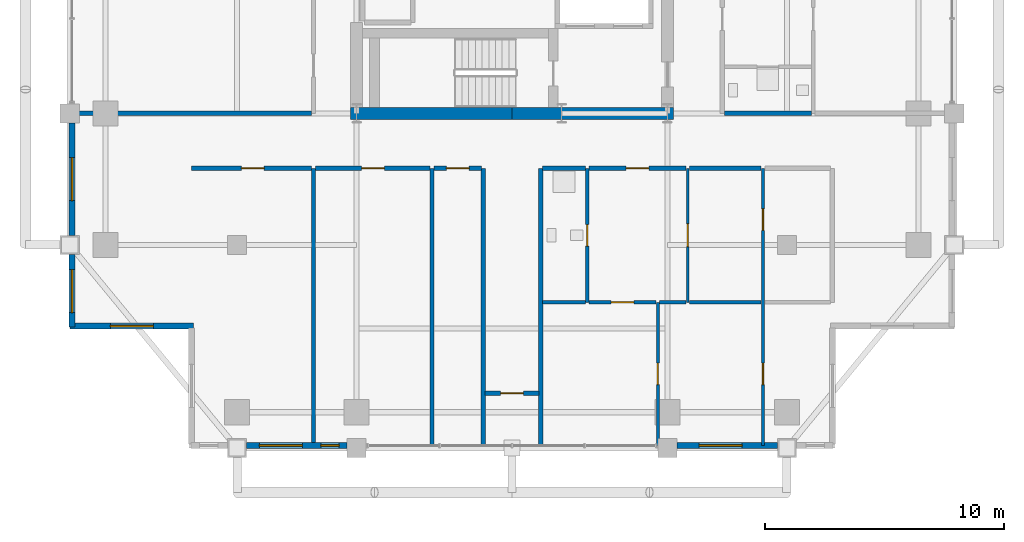
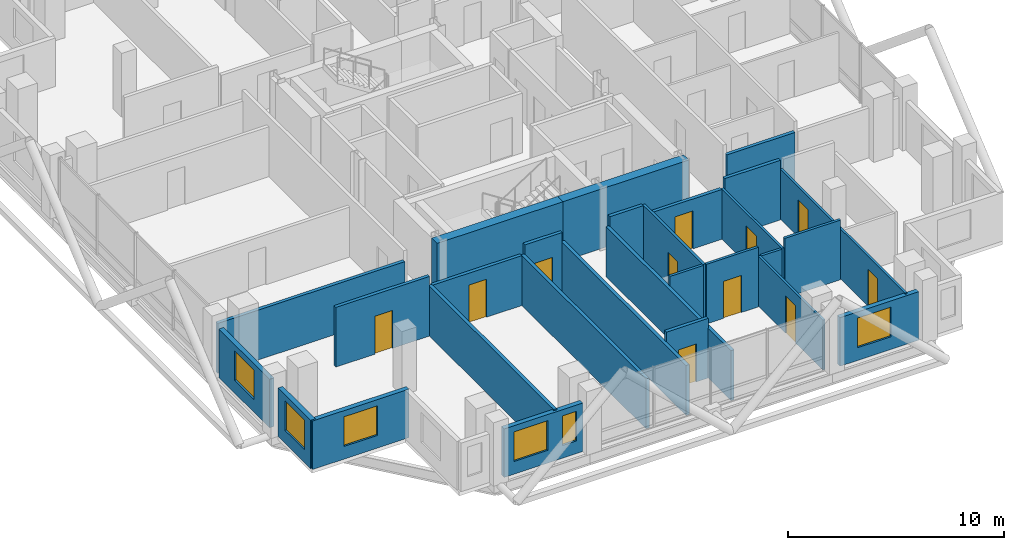
# One storey, part 20 of 26: 28 walls, 11 doors, 6 windows, 17 openings.
"""IFC4 building model written with IfcOpenShell, lengths in metres."""

from ifc_helpers import new_model, si_unit, direction, frame, frame_2d, origin, place, context, subcontext, project, spatial, rectangle, extrude, material, layer, layer_set, type_object, element, fill, save


model = new_model("IFC4")

# Units and contexts
model_context = context("Model", 3, precision=1e-05, world=origin(), true_north=direction((0.0, 1.0)))
body_context = subcontext(model_context, "Body", "Model", "MODEL_VIEW")
ifc_project = project(units=[si_unit("LENGTHUNIT", "METRE"), si_unit("AREAUNIT", "SQUARE_METRE"), si_unit("VOLUMEUNIT", "CUBIC_METRE"), si_unit("PLANEANGLEUNIT", "RADIAN"), si_unit("MASSUNIT", "GRAM", prefix="KILO")], contexts=[model_context])

# Site, building, storey
site_placement = place(None, origin())
site = spatial("IfcSite", under=ifc_project, at=site_placement, CompositionType="ELEMENT")
building_placement = place(site_placement, origin())
building = spatial("IfcBuilding", under=site, at=building_placement, Name="Barlavira Tower and Art Museum", CompositionType="ELEMENT")
storey_placement = place(building_placement, frame((0.0, 0.0, 176.39990234375)))
storey = spatial("IfcBuildingStorey", under=building, at=storey_placement, Name="L45", CompositionType="ELEMENT", Elevation=176.39990234375)

# Wall, opening, door
ifc_material_1 = material(Name="Gypsum acoustic stud partition", Category="gypsum")
ifc_layer_1 = layer(ifc_material_1, 0.1201171875, Name="Gypsum acoustic stud partition")
ifc_layer_set_1 = layer_set([ifc_layer_1], Name="Gypsum acoustic stud partition")
wall_type_1 = type_object("IfcWallType", Name="Apartment Internal Acoustic Partition 120", PredefinedType="PARTITIONING", material=ifc_layer_set_1)
wall_1_placement = place(storey_placement, frame((6.10009765625, -21.39990234375, 0.0), z_axis=(0.0, 0.0, 1.0), x_axis=(0.0, 1.0, 0.0)))
wall_1 = element("IfcWall", 1, at=wall_1_placement, inside=storey, type_object=wall_type_1, Name="L45 Partition Wall 15", PredefinedType="PARTITIONING", context=body_context, shape_type="SweptSolid", body=[
    extrude(rectangle(XDim=6.0, YDim=0.1201171875, at=frame_2d((3.0, 0.0))), origin(), (0.0, 0.0, 1.0), 2.826171875),
])
opening_1_placement = place(wall_1_placement, frame((2.550048828125, 0.0, 0.0)))
opening_1 = element("IfcOpeningElement", 2, at=opening_1_placement, cuts=wall_1, Name="Opening D-01", PredefinedType="OPENING", context=body_context, shape_type="SweptSolid", body=[
    extrude(rectangle(XDim=0.89990234375, YDim=2.10009765625, at=frame_2d((0.449951171875, 1.050048828125))), frame((0.0, 0.070068359375, 0.0), z_axis=(0.0, -1.0, 0.0), x_axis=(1.0, 0.0, 0.0)), (0.0, 0.0, 1.0), 0.14013671875),
])
ifc_material_2 = material(Name="Engineered coastal hardwood", Category="wood")
door_type_1 = type_object("IfcDoorType", Name="Internal Bedroom Timber Flush Door 900x2100", OperationType="NOTDEFINED", PredefinedType="DOOR", material=ifc_material_2)
door_1_placement = place(opening_1_placement, origin())
door_1 = element("IfcDoor", 3, at=door_1_placement, inside=storey, type_object=door_type_1, Name="Apartment SE1 Bedroom 1 Door", OperationType="SINGLE_SWING_LEFT", OverallHeight=2.10009765625, OverallWidth=0.89990234375, PredefinedType="DOOR", context=body_context, shape_type="SweptSolid", body=[
    extrude(rectangle(XDim=0.89990234375, YDim=2.10009765625, at=frame_2d((0.449951171875, 1.050048828125))), frame((0.0, 0.02490234375, 0.0), z_axis=(0.0, -1.0, 0.0), x_axis=(1.0, 0.0, 0.0)), (0.0, 0.0, 1.0), 0.050048828125),
])
fill(opening_1, door_1)

wall_2_placement = place(storey_placement, frame((7.35009765625, -15.39990234375, 0.0), z_axis=(0.0, 0.0, 1.0), x_axis=(0.0, 1.0, 0.0)))
wall_2 = element("IfcWall", 4, at=wall_2_placement, inside=storey, type_object=wall_type_1, Name="L45 Partition Wall 17", PredefinedType="PARTITIONING", context=body_context, shape_type="SweptSolid", body=[
    extrude(rectangle(XDim=5.599853515625, YDim=0.1201171875, at=frame_2d((2.7998046875, 0.0))), origin(), (0.0, 0.0, 1.0), 2.826171875),
])
opening_2_placement = place(wall_2_placement, frame((2.324951171875, 0.0, 0.0)))
opening_2 = element("IfcOpeningElement", 5, at=opening_2_placement, cuts=wall_2, Name="Opening D-02", PredefinedType="OPENING", context=body_context, shape_type="SweptSolid", body=[
    extrude(rectangle(XDim=0.949951171875, YDim=2.10009765625, at=frame_2d((0.47509765625, 1.050048828125))), frame((0.0, 0.070068359375, 0.0), z_axis=(0.0, -1.0, 0.0), x_axis=(1.0, 0.0, 0.0)), (0.0, 0.0, 1.0), 0.14013671875),
])
door_type_2 = type_object("IfcDoorType", Name="Living and Salon Glazed-Leaf Door 950x2100", OperationType="NOTDEFINED", PredefinedType="DOOR", material=ifc_material_2)
door_2_placement = place(opening_2_placement, origin())
door_2 = element("IfcDoor", 6, at=door_2_placement, inside=storey, type_object=door_type_2, Name="Apartment SE1 Kitchen Door", OperationType="SINGLE_SWING_RIGHT", OverallHeight=2.10009765625, OverallWidth=0.949951171875, PredefinedType="DOOR", context=body_context, shape_type="SweptSolid", body=[
    extrude(rectangle(XDim=0.949951171875, YDim=2.10009765625, at=frame_2d((0.47509765625, 1.050048828125))), frame((0.0, 0.02490234375, 0.0), z_axis=(0.0, -1.0, 0.0), x_axis=(1.0, 0.0, 0.0)), (0.0, 0.0, 1.0), 0.050048828125),
])
fill(opening_2, door_2)

# Wall, openings, doors
wall_3_placement = place(storey_placement, frame((10.5, -21.39990234375, 0.0), z_axis=(0.0, 0.0, 1.0), x_axis=(0.0, 1.0, 0.0)))
wall_3 = element("IfcWall", 7, at=wall_3_placement, inside=storey, type_object=wall_type_1, Name="L45 Partition Wall 20", PredefinedType="PARTITIONING", context=body_context, shape_type="SweptSolid", body=[
    extrude(rectangle(XDim=11.599853515625, YDim=0.1201171875, at=frame_2d((5.7998046875, 0.0))), origin(), (0.0, 0.0, 1.0), 2.826171875),
])
opening_3_placement = place(wall_3_placement, frame((9.005859375, 0.0, 0.0)))
opening_3 = element("IfcOpeningElement", 8, at=opening_3_placement, cuts=wall_3, Name="Opening D-01", PredefinedType="OPENING", context=body_context, shape_type="SweptSolid", body=[
    extrude(rectangle(XDim=0.89990234375, YDim=2.10009765625, at=frame_2d((0.449951171875, 1.050048828125))), frame((0.0, 0.070068359375, 0.0), z_axis=(0.0, -1.0, 0.0), x_axis=(1.0, 0.0, 0.0)), (0.0, 0.0, 1.0), 0.14013671875),
])
opening_4_placement = place(wall_3_placement, frame((2.550048828125, 0.0, 0.0)))
opening_4 = element("IfcOpeningElement", 9, at=opening_4_placement, cuts=wall_3, Name="Opening D-01", PredefinedType="OPENING", context=body_context, shape_type="SweptSolid", body=[
    extrude(rectangle(XDim=0.89990234375, YDim=2.10009765625, at=frame_2d((0.449951171875, 1.050048828125))), frame((0.0, 0.070068359375, 0.0), z_axis=(0.0, -1.0, 0.0), x_axis=(1.0, 0.0, 0.0)), (0.0, 0.0, 1.0), 0.14013671875),
])
door_3_placement = place(opening_3_placement, origin())
door_3 = element("IfcDoor", 10, at=door_3_placement, inside=storey, type_object=door_type_1, Name="Apartment SE1 Walk-In Dressing Room Door", OperationType="SINGLE_SWING_LEFT", OverallHeight=2.10009765625, OverallWidth=0.89990234375, PredefinedType="DOOR", context=body_context, shape_type="SweptSolid", body=[
    extrude(rectangle(XDim=0.89990234375, YDim=2.10009765625, at=frame_2d((0.449951171875, 1.050048828125))), frame((0.0, 0.02490234375, 0.0), z_axis=(0.0, -1.0, 0.0), x_axis=(1.0, 0.0, 0.0)), (0.0, 0.0, 1.0), 0.050048828125),
])
fill(opening_3, door_3)
door_4_placement = place(opening_4_placement, origin())
door_4 = element("IfcDoor", 11, at=door_4_placement, inside=storey, type_object=door_type_1, Name="Apartment SE1 Bedroom 2 Door", OperationType="SINGLE_SWING_RIGHT", OverallHeight=2.10009765625, OverallWidth=0.89990234375, PredefinedType="DOOR", context=body_context, shape_type="SweptSolid", body=[
    extrude(rectangle(XDim=0.89990234375, YDim=2.10009765625, at=frame_2d((0.449951171875, 1.050048828125))), frame((0.0, 0.02490234375, 0.0), z_axis=(0.0, -1.0, 0.0), x_axis=(1.0, 0.0, 0.0)), (0.0, 0.0, 1.0), 0.050048828125),
])
fill(opening_4, door_4)

# Walls
ifc_material_3 = material(Name="Concrete C60", Category="concrete")
ifc_layer_2 = layer(ifc_material_3, 0.5, Name="Concrete C60")
ifc_layer_set_2 = layer_set([ifc_layer_2], Name="Concrete C60")
wall_type_2 = type_object("IfcWallType", Name="Core Structural Shear Wall 500 Concrete C60", PredefinedType="SHEAR", material=ifc_layer_set_2)
for number, where, z_axis, x_axis, name in (
    (12, (-6.75, -7.5, 0.0), (0.0, 0.0, 1.0), (1.0, 0.0, 0.0), "L45 Core Shear Wall CS-SW"),
    (13, (0.0, -7.5, 0.0), (0.0, 0.0, 1.0), (1.0, 0.0, 0.0), "L45 Core Shear Wall CS-SE"),
):
    element("IfcWall", number, at=place(storey_placement, frame(where, z_axis=z_axis, x_axis=x_axis)), inside=storey, type_object=wall_type_2, Name=name, PredefinedType="SHEAR", context=body_context, shape_type="SweptSolid", body=[
        extrude(rectangle(XDim=6.75, YDim=0.5, at=frame_2d((3.375, 0.0))), origin(), (0.0, 0.0, 1.0), 3.380126953125),
    ])
ifc_layer_3 = layer(ifc_material_1, 0.179931640625, Name="Gypsum acoustic stud partition")
ifc_layer_set_3 = layer_set([ifc_layer_3], Name="Gypsum acoustic stud partition")
wall_type_3 = type_object("IfcWallType", Name="Inter-Tenancy Party Partition Wall 180", PredefinedType="PARTITIONING", material=ifc_layer_set_3)
for number, where, z_axis, x_axis, name in (
    (14, (-8.300048828125, -21.39990234375, 0.0), (0.0, 0.0, 1.0), (0.0, 1.0, 0.0), "L45 Partition Wall 1"),
    (15, (-3.35009765625, -21.39990234375, 0.0), (0.0, 0.0, 1.0), (0.0, 1.0, 0.0), "L45 Partition Wall 6"),
    (16, (-1.199951171875, -21.39990234375, 0.0), (0.0, 0.0, 1.0), (0.0, 1.0, 0.0), "L45 Partition Wall 8"),
    (17, (1.199951171875, -21.39990234375, 0.0), (0.0, 0.0, 1.0), (0.0, 1.0, 0.0), "L45 Partition Wall 10"),
):
    element("IfcWall", number, at=place(storey_placement, frame(where, z_axis=z_axis, x_axis=x_axis)), inside=storey, type_object=wall_type_3, Name=name, PredefinedType="PARTITIONING", context=body_context, shape_type="SweptSolid", body=[
        extrude(rectangle(XDim=11.599853515625, YDim=0.179931640625, at=frame_2d((5.7998046875, 0.0))), origin(), (0.0, 0.0, 1.0), 2.826171875),
    ])

# Wall, opening, door
wall_4_placement = place(storey_placement, frame((-1.1201171875, -19.199951171875, 0.0), z_axis=(0.0, 0.0, 1.0), x_axis=(1.0, 0.0, 0.0)))
wall_4 = element("IfcWall", 18, at=wall_4_placement, inside=storey, type_object=wall_type_3, Name="L45 Partition Wall 25", PredefinedType="PARTITIONING", context=body_context, shape_type="SweptSolid", body=[
    extrude(rectangle(XDim=2.240234375, YDim=0.179931640625, at=frame_2d((1.1201171875, 0.0))), origin(), (0.0, 0.0, 1.0), 3.380126953125),
])
opening_5_placement = place(wall_4_placement, frame((0.64501953125, 0.0, 0.0)))
opening_5 = element("IfcOpeningElement", 19, at=opening_5_placement, cuts=wall_4, Name="Opening FD-60", PredefinedType="OPENING", context=body_context, shape_type="SweptSolid", body=[
    extrude(rectangle(XDim=0.949951171875, YDim=2.14990234375, at=frame_2d((0.47509765625, 1.074951171875))), frame((0.0, 0.10009765625, 0.0), z_axis=(0.0, -1.0, 0.0), x_axis=(1.0, 0.0, 0.0)), (0.0, 0.0, 1.0), 0.199951171875),
])
ifc_material_4 = material(Name="Brushed stainless steel", Category="steel")
door_type_3 = type_object("IfcDoorType", Name="Apartment Entrance and Riser Fire Door 950x2150 FD60S", OperationType="NOTDEFINED", PredefinedType="DOOR", material=ifc_material_4)
door_5_placement = place(opening_5_placement, origin())
door_5 = element("IfcDoor", 20, at=door_5_placement, inside=storey, type_object=door_type_3, Name="L45 South Horizon Reading Alcove Door", OperationType="SINGLE_SWING_RIGHT", OverallHeight=2.14990234375, OverallWidth=0.949951171875, PredefinedType="DOOR", context=body_context, shape_type="SweptSolid", body=[
    extrude(rectangle(XDim=0.949951171875, YDim=2.14990234375, at=frame_2d((0.47509765625, 1.074951171875))), frame((0.0, 0.02490234375, 0.0), z_axis=(0.0, -1.0, 0.0), x_axis=(1.0, 0.0, 0.0)), (0.0, 0.0, 1.0), 0.050048828125),
])
fill(opening_5, door_5)

wall_5_placement = place(storey_placement, frame((-13.39990234375, -9.800048828125, 0.0), z_axis=(0.0, 0.0, 1.0), x_axis=(1.0, 0.0, 0.0)))
wall_5 = element("IfcWall", 21, at=wall_5_placement, inside=storey, type_object=wall_type_3, Name="L45 Partition Wall 31", PredefinedType="PARTITIONING", context=body_context, shape_type="SweptSolid", body=[
    extrude(rectangle(XDim=5.02001953125, YDim=0.179931640625, at=frame_2d((2.510009765625, 0.0))), origin(), (0.0, 0.0, 1.0), 3.380126953125),
])
opening_6_placement = place(wall_5_placement, frame((2.0849609375, 0.0, 0.0)))
opening_6 = element("IfcOpeningElement", 22, at=opening_6_placement, cuts=wall_5, Name="Opening FD-60", PredefinedType="OPENING", context=body_context, shape_type="SweptSolid", body=[
    extrude(rectangle(XDim=0.949951171875, YDim=2.14990234375, at=frame_2d((0.47509765625, 1.074951171875))), frame((0.0, 0.10009765625, 0.0), z_axis=(0.0, -1.0, 0.0), x_axis=(1.0, 0.0, 0.0)), (0.0, 0.0, 1.0), 0.199951171875),
])
door_6_placement = place(opening_6_placement, origin())
door_6 = element("IfcDoor", 23, at=door_6_placement, inside=storey, type_object=door_type_3, Name="Resident Sky Coworking Studio Door", OperationType="SINGLE_SWING_LEFT", OverallHeight=2.14990234375, OverallWidth=0.949951171875, PredefinedType="DOOR", context=body_context, shape_type="SweptSolid", body=[
    extrude(rectangle(XDim=0.949951171875, YDim=2.14990234375, at=frame_2d((0.47509765625, 1.074951171875))), frame((0.0, 0.02490234375, 0.0), z_axis=(0.0, -1.0, 0.0), x_axis=(1.0, 0.0, 0.0)), (0.0, 0.0, 1.0), 0.050048828125),
])
fill(opening_6, door_6)

wall_6_placement = place(storey_placement, frame((-8.219970703125, -9.800048828125, 0.0), z_axis=(0.0, 0.0, 1.0), x_axis=(1.0, 0.0, 0.0)))
wall_6 = element("IfcWall", 24, at=wall_6_placement, inside=storey, type_object=wall_type_3, Name="L45 Partition Wall 32", PredefinedType="PARTITIONING", context=body_context, shape_type="SweptSolid", body=[
    extrude(rectangle(XDim=4.7900390625, YDim=0.179931640625, at=frame_2d((2.39501953125, 0.0))), origin(), (0.0, 0.0, 1.0), 2.826171875),
])
opening_7_placement = place(wall_6_placement, frame((1.93505859375, 0.0, 0.0)))
opening_7 = element("IfcOpeningElement", 25, at=opening_7_placement, cuts=wall_6, Name="Opening FD-60", PredefinedType="OPENING", context=body_context, shape_type="SweptSolid", body=[
    extrude(rectangle(XDim=0.949951171875, YDim=2.14990234375, at=frame_2d((0.47509765625, 1.074951171875))), frame((0.0, 0.10009765625, 0.0), z_axis=(0.0, -1.0, 0.0), x_axis=(1.0, 0.0, 0.0)), (0.0, 0.0, 1.0), 0.199951171875),
])
door_7_placement = place(opening_7_placement, origin())
door_7 = element("IfcDoor", 26, at=door_7_placement, inside=storey, type_object=door_type_3, Name="Atlantic Horizon Boardroom Door", OperationType="SINGLE_SWING_RIGHT", OverallHeight=2.14990234375, OverallWidth=0.949951171875, PredefinedType="DOOR", context=body_context, shape_type="SweptSolid", body=[
    extrude(rectangle(XDim=0.949951171875, YDim=2.14990234375, at=frame_2d((0.47509765625, 1.074951171875))), frame((0.0, 0.02490234375, 0.0), z_axis=(0.0, -1.0, 0.0), x_axis=(1.0, 0.0, 0.0)), (0.0, 0.0, 1.0), 0.050048828125),
])
fill(opening_7, door_7)

wall_7_placement = place(storey_placement, frame((-3.27001953125, -9.800048828125, 0.0), z_axis=(0.0, 0.0, 1.0), x_axis=(1.0, 0.0, 0.0)))
wall_7 = element("IfcWall", 27, at=wall_7_placement, inside=storey, type_object=wall_type_3, Name="L45 Partition Wall 33", PredefinedType="PARTITIONING", context=body_context, shape_type="SweptSolid", body=[
    extrude(rectangle(XDim=1.989990234375, YDim=0.179931640625, at=frame_2d((0.9951171875, 0.0))), origin(), (0.0, 0.0, 1.0), 3.380126953125),
])
opening_8_placement = place(wall_7_placement, frame((0.52490234375, 0.0, 0.0)))
opening_8 = element("IfcOpeningElement", 28, at=opening_8_placement, cuts=wall_7, Name="Opening FD-60", PredefinedType="OPENING", context=body_context, shape_type="SweptSolid", body=[
    extrude(rectangle(XDim=0.949951171875, YDim=2.14990234375, at=frame_2d((0.47509765625, 1.074951171875))), frame((0.0, 0.10009765625, 0.0), z_axis=(0.0, -1.0, 0.0), x_axis=(1.0, 0.0, 0.0)), (0.0, 0.0, 1.0), 0.199951171875),
])
door_8_placement = place(opening_8_placement, origin())
door_8 = element("IfcDoor", 29, at=door_8_placement, inside=storey, type_object=door_type_3, Name="Shared Coworking Espresso Pantry Door", OperationType="SINGLE_SWING_LEFT", OverallHeight=2.14990234375, OverallWidth=0.949951171875, PredefinedType="DOOR", context=body_context, shape_type="SweptSolid", body=[
    extrude(rectangle(XDim=0.949951171875, YDim=2.14990234375, at=frame_2d((0.47509765625, 1.074951171875))), frame((0.0, 0.02490234375, 0.0), z_axis=(0.0, -1.0, 0.0), x_axis=(1.0, 0.0, 0.0)), (0.0, 0.0, 1.0), 0.050048828125),
])
fill(opening_8, door_8)

# Wall
wall_8_placement = place(storey_placement, frame((1.280029296875, -9.800048828125, 0.0), z_axis=(0.0, 0.0, 1.0), x_axis=(1.0, 0.0, 0.0)))
element("IfcWall", 30, at=wall_8_placement, inside=storey, type_object=wall_type_3, Name="L45 Partition Wall 34", PredefinedType="PARTITIONING", context=body_context, shape_type="SweptSolid", body=[
    extrude(rectangle(XDim=1.7900390625, YDim=0.179931640625, at=frame_2d((0.89501953125, 0.0))), origin(), (0.0, 0.0, 1.0), 3.380126953125),
])

# Wall, opening, door
wall_9_placement = place(storey_placement, frame((3.22998046875, -9.800048828125, 0.0), z_axis=(0.0, 0.0, 1.0), x_axis=(1.0, 0.0, 0.0)))
wall_9 = element("IfcWall", 31, at=wall_9_placement, inside=storey, type_object=wall_type_3, Name="L45 Partition Wall 35", PredefinedType="PARTITIONING", context=body_context, shape_type="SweptSolid", body=[
    extrude(rectangle(XDim=4.0400390625, YDim=0.179931640625, at=frame_2d((2.02001953125, 0.0))), origin(), (0.0, 0.0, 1.0), 2.826171875),
])
opening_9_placement = place(wall_9_placement, frame((1.544921875, 0.0, 0.0)))
opening_9 = element("IfcOpeningElement", 32, at=opening_9_placement, cuts=wall_9, Name="Opening FD-60", PredefinedType="OPENING", context=body_context, shape_type="SweptSolid", body=[
    extrude(rectangle(XDim=0.949951171875, YDim=2.14990234375, at=frame_2d((0.47509765625, 1.074951171875))), frame((0.0, 0.10009765625, 0.0), z_axis=(0.0, -1.0, 0.0), x_axis=(1.0, 0.0, 0.0)), (0.0, 0.0, 1.0), 0.199951171875),
])
door_9_placement = place(opening_9_placement, origin())
door_9 = element("IfcDoor", 33, at=door_9_placement, inside=storey, type_object=door_type_3, Name="Apartment Entrance Hall SE1 Door", OperationType="SINGLE_SWING_LEFT", OverallHeight=2.14990234375, OverallWidth=0.949951171875, PredefinedType="DOOR", context=body_context, shape_type="SweptSolid", body=[
    extrude(rectangle(XDim=0.949951171875, YDim=2.14990234375, at=frame_2d((0.47509765625, 1.074951171875))), frame((0.0, 0.02490234375, 0.0), z_axis=(0.0, -1.0, 0.0), x_axis=(1.0, 0.0, 0.0)), (0.0, 0.0, 1.0), 0.050048828125),
])
fill(opening_9, door_9)

# Walls
wall_10_placement = place(storey_placement, frame((7.429931640625, -9.800048828125, 0.0), z_axis=(0.0, 0.0, 1.0), x_axis=(1.0, 0.0, 0.0)))
element("IfcWall", 34, at=wall_10_placement, inside=storey, type_object=wall_type_3, Name="L45 Partition Wall 36", PredefinedType="PARTITIONING", context=body_context, shape_type="SweptSolid", body=[
    extrude(rectangle(XDim=2.989990234375, YDim=0.179931640625, at=frame_2d((1.4951171875, 0.0))), origin(), (0.0, 0.0, 1.0), 3.380126953125),
])
wall_11_placement = place(storey_placement, frame((-18.39990234375, -7.5, 0.0), z_axis=(0.0, 0.0, 1.0), x_axis=(1.0, 0.0, 0.0)))
element("IfcWall", 35, at=wall_11_placement, inside=storey, type_object=wall_type_3, Name="L45 Partition Wall 38", PredefinedType="PARTITIONING", context=body_context, shape_type="SweptSolid", body=[
    extrude(rectangle(XDim=10.02001953125, YDim=0.179931640625, at=frame_2d((5.010009765625, 0.0))), origin(), (0.0, 0.0, 1.0), 2.826171875),
])
wall_12_placement = place(storey_placement, frame((8.8798828125, -7.5, 0.0), z_axis=(0.0, 0.0, 1.0), x_axis=(1.0, 0.0, 0.0)))
element("IfcWall", 36, at=wall_12_placement, inside=storey, type_object=wall_type_3, Name="L45 Partition Wall 39", PredefinedType="PARTITIONING", context=body_context, shape_type="SweptSolid", body=[
    extrude(rectangle(XDim=3.64013671875, YDim=0.179931640625, at=frame_2d((1.820068359375, 0.0))), origin(), (0.0, 0.0, 1.0), 2.826171875),
])

# Wall, opening, door
ifc_layer_4 = layer(ifc_material_1, 0.139892578125, Name="Gypsum acoustic stud partition")
ifc_layer_set_4 = layer_set([ifc_layer_4], Name="Gypsum acoustic stud partition")
wall_type_4 = type_object("IfcWallType", Name="Moisture-Resistant Bathroom Partition 140", PredefinedType="PARTITIONING", material=ifc_layer_set_4)
wall_13_placement = place(storey_placement, frame((3.14990234375, -15.39990234375, 0.0), z_axis=(0.0, 0.0, 1.0), x_axis=(0.0, 1.0, 0.0)))
wall_13 = element("IfcWall", 37, at=wall_13_placement, inside=storey, type_object=wall_type_4, Name="L45 Partition Wall 12", PredefinedType="PARTITIONING", context=body_context, shape_type="SweptSolid", body=[
    extrude(rectangle(XDim=5.599853515625, YDim=0.139892578125, at=frame_2d((2.7998046875, 0.0))), origin(), (0.0, 0.0, 1.0), 3.380126953125),
])
opening_10_placement = place(wall_13_placement, frame((2.35009765625, 0.0, 0.0)))
opening_10 = element("IfcOpeningElement", 38, at=opening_10_placement, cuts=wall_13, Name="Opening D-WC", PredefinedType="OPENING", context=body_context, shape_type="SweptSolid", body=[
    extrude(rectangle(XDim=0.89990234375, YDim=2.10009765625, at=frame_2d((0.449951171875, 1.050048828125))), frame((0.0, 0.080078125, 0.0), z_axis=(0.0, -1.0, 0.0), x_axis=(1.0, 0.0, 0.0)), (0.0, 0.0, 1.0), 0.159912109375),
])
door_type_4 = type_object("IfcDoorType", Name="Accessible Bathroom Flush Door 900x2100", OperationType="NOTDEFINED", PredefinedType="DOOR", material=ifc_material_2)
door_10_placement = place(opening_10_placement, origin())
door_10 = element("IfcDoor", 39, at=door_10_placement, inside=storey, type_object=door_type_4, Name="Apartment SE1 Hall Bathroom Door", OperationType="SINGLE_SWING_RIGHT", OverallHeight=2.10009765625, OverallWidth=0.89990234375, PredefinedType="DOOR", context=body_context, shape_type="SweptSolid", body=[
    extrude(rectangle(XDim=0.89990234375, YDim=2.10009765625, at=frame_2d((0.449951171875, 1.050048828125))), frame((0.0, 0.02490234375, 0.0), z_axis=(0.0, -1.0, 0.0), x_axis=(1.0, 0.0, 0.0)), (0.0, 0.0, 1.0), 0.050048828125),
])
fill(opening_10, door_10)

# Wall
wall_14_placement = place(storey_placement, frame((1.280029296875, -15.39990234375, 0.0), z_axis=(0.0, 0.0, 1.0), x_axis=(1.0, 0.0, 0.0)))
element("IfcWall", 40, at=wall_14_placement, inside=storey, type_object=wall_type_4, Name="L45 Partition Wall 26", PredefinedType="PARTITIONING", context=body_context, shape_type="SweptSolid", body=[
    extrude(rectangle(XDim=1.7900390625, YDim=0.139892578125, at=frame_2d((0.89501953125, 0.0))), origin(), (0.0, 0.0, 1.0), 3.380126953125),
])

# Wall, opening, door
wall_15_placement = place(storey_placement, frame((3.22998046875, -15.39990234375, 0.0), z_axis=(0.0, 0.0, 1.0), x_axis=(1.0, 0.0, 0.0)))
wall_15 = element("IfcWall", 41, at=wall_15_placement, inside=storey, type_object=wall_type_4, Name="L45 Partition Wall 27", PredefinedType="PARTITIONING", context=body_context, shape_type="SweptSolid", body=[
    extrude(rectangle(XDim=2.7900390625, YDim=0.139892578125, at=frame_2d((1.39501953125, 0.0))), origin(), (0.0, 0.0, 1.0), 3.380126953125),
])
opening_11_placement = place(wall_15_placement, frame((0.9150390625, 0.0, 0.0)))
opening_11 = element("IfcOpeningElement", 42, at=opening_11_placement, cuts=wall_15, Name="Opening D-02", PredefinedType="OPENING", context=body_context, shape_type="SweptSolid", body=[
    extrude(rectangle(XDim=0.949951171875, YDim=2.10009765625, at=frame_2d((0.47509765625, 1.050048828125))), frame((0.0, 0.080078125, 0.0), z_axis=(0.0, -1.0, 0.0), x_axis=(1.0, 0.0, 0.0)), (0.0, 0.0, 1.0), 0.159912109375),
])
door_11_placement = place(opening_11_placement, origin())
door_11 = element("IfcDoor", 43, at=door_11_placement, inside=storey, type_object=door_type_2, Name="Apartment SE1 Living Lounge Door", OperationType="SINGLE_SWING_RIGHT", OverallHeight=2.10009765625, OverallWidth=0.949951171875, PredefinedType="DOOR", context=body_context, shape_type="SweptSolid", body=[
    extrude(rectangle(XDim=0.949951171875, YDim=2.10009765625, at=frame_2d((0.47509765625, 1.050048828125))), frame((0.0, 0.02490234375, 0.0), z_axis=(0.0, -1.0, 0.0), x_axis=(1.0, 0.0, 0.0)), (0.0, 0.0, 1.0), 0.050048828125),
])
fill(opening_11, door_11)

# Walls
wall_16_placement = place(storey_placement, frame((6.179931640625, -15.39990234375, 0.0), z_axis=(0.0, 0.0, 1.0), x_axis=(1.0, 0.0, 0.0)))
element("IfcWall", 44, at=wall_16_placement, inside=storey, type_object=wall_type_4, Name="L45 Partition Wall 28", PredefinedType="PARTITIONING", context=body_context, shape_type="SweptSolid", body=[
    extrude(rectangle(XDim=1.090087890625, YDim=0.139892578125, at=frame_2d((0.544921875, 0.0))), origin(), (0.0, 0.0, 1.0), 2.826171875),
])
wall_17_placement = place(storey_placement, frame((7.429931640625, -15.39990234375, 0.0), z_axis=(0.0, 0.0, 1.0), x_axis=(1.0, 0.0, 0.0)))
element("IfcWall", 45, at=wall_17_placement, inside=storey, type_object=wall_type_4, Name="L45 Partition Wall 29", PredefinedType="PARTITIONING", context=body_context, shape_type="SweptSolid", body=[
    extrude(rectangle(XDim=2.989990234375, YDim=0.139892578125, at=frame_2d((1.4951171875, 0.0))), origin(), (0.0, 0.0, 1.0), 3.380126953125),
])

# Wall, openings, windows
ifc_material_5 = material(Name="Precast concrete C40", Category="concrete")
ifc_layer_5 = layer(ifc_material_5, 0.25, Name="Precast concrete C40")
ifc_layer_set_5 = layer_set([ifc_layer_5], Name="Precast concrete C40")
wall_type_5 = type_object("IfcWallType", Name="Notched Corner Spandrel Wall 250 Precast Concrete C40", PredefinedType="SOLIDWALL", material=ifc_layer_set_5)
wall_18_placement = place(storey_placement, frame((-11.10498046875, -21.39990234375, 0.0), z_axis=(0.0, 0.0, 1.0), x_axis=(1.0, 0.0, 0.0)))
wall_18 = element("IfcWall", 46, at=wall_18_placement, inside=storey, type_object=wall_type_5, Name="L45 Coastal Facade Pier Wall CW3-L45-S-2", PredefinedType="SOLIDWALL", context=body_context, shape_type="SweptSolid", body=[
    extrude(rectangle(XDim=4.2099609375, YDim=0.25, at=frame_2d((2.10498046875, 0.0))), origin(), (0.0, 0.0, 1.0), 2.748046875),
])
opening_12_placement = place(wall_18_placement, frame((0.534912109375, 0.0, 0.719970703125)))
opening_12 = element("IfcOpeningElement", 47, at=opening_12_placement, cuts=wall_18, Name="Opening WN-01", PredefinedType="OPENING", context=body_context, shape_type="SweptSolid", body=[
    extrude(rectangle(XDim=1.800048828125, YDim=1.679931640625, at=frame_2d((0.89990234375, 0.83984375))), frame((0.0, 0.135009765625, 0.0), z_axis=(0.0, -1.0, 0.0), x_axis=(1.0, 0.0, 0.0)), (0.0, 0.0, 1.0), 0.27001953125),
])
opening_13_placement = place(wall_18_placement, frame((3.114990234375, 0.0, 0.719970703125)))
opening_13 = element("IfcOpeningElement", 48, at=opening_13_placement, cuts=wall_18, Name="Opening WN-06", PredefinedType="OPENING", context=body_context, shape_type="SweptSolid", body=[
    extrude(rectangle(XDim=0.760009765625, YDim=1.679931640625, at=frame_2d((0.3798828125, 0.83984375))), frame((0.0, 0.135009765625, 0.0), z_axis=(0.0, -1.0, 0.0), x_axis=(1.0, 0.0, 0.0)), (0.0, 0.0, 1.0), 0.27001953125),
])
ifc_material_6 = material(Name="Low-iron coastal laminated glass", Category="glass")
window_type_1 = type_object("IfcWindowType", Name="Recessed Narrow Pier Window 760x1680", PartitioningType="SINGLE_PANEL", PredefinedType="WINDOW", material=ifc_material_6)
window_1_placement = place(opening_13_placement, origin())
window_1 = element("IfcWindow", 49, at=window_1_placement, inside=storey, type_object=window_type_1, Name="L45 Punched Facade Window EWP-CW3-L45-S-2-2", OverallHeight=1.679931640625, OverallWidth=0.760009765625, PartitioningType="SINGLE_PANEL", PredefinedType="WINDOW", context=body_context, shape_type="SweptSolid", body=[
    extrude(rectangle(XDim=0.760009765625, YDim=1.679931640625, at=frame_2d((0.3798828125, 0.83984375))), frame((0.0, 0.030029296875, 0.0), z_axis=(0.0, -1.0, 0.0), x_axis=(1.0, 0.0, 0.0)), (0.0, 0.0, 1.0), 0.06005859375),
])
fill(opening_13, window_1)
window_type_2 = type_object("IfcWindowType", Name="Recessed Notch Corner Punch Window 1800x1680", PartitioningType="SINGLE_PANEL", PredefinedType="WINDOW", material=ifc_material_6)
window_2_placement = place(opening_12_placement, origin())
window_2 = element("IfcWindow", 50, at=window_2_placement, inside=storey, type_object=window_type_2, Name="L45 Punched Facade Window EWP-CW3-L45-S-2-1", OverallHeight=1.679931640625, OverallWidth=1.800048828125, PartitioningType="SINGLE_PANEL", PredefinedType="WINDOW", context=body_context, shape_type="SweptSolid", body=[
    extrude(rectangle(XDim=1.800048828125, YDim=1.679931640625, at=frame_2d((0.89990234375, 0.83984375))), frame((0.0, 0.030029296875, 0.0), z_axis=(0.0, -1.0, 0.0), x_axis=(1.0, 0.0, 0.0)), (0.0, 0.0, 1.0), 0.06005859375),
])
fill(opening_12, window_2)

# Wall, opening, window
wall_19_placement = place(storey_placement, frame((6.89501953125, -21.39990234375, 0.0), z_axis=(0.0, 0.0, 1.0), x_axis=(1.0, 0.0, 0.0)))
wall_19 = element("IfcWall", 51, at=wall_19_placement, inside=storey, type_object=wall_type_5, Name="L45 Coastal Facade Pier Wall CW3-L45-S-4", PredefinedType="SOLIDWALL", context=body_context, shape_type="SweptSolid", body=[
    extrude(rectangle(XDim=4.2099609375, YDim=0.25, at=frame_2d((2.10498046875, 0.0))), origin(), (0.0, 0.0, 1.0), 2.748046875),
])
opening_14_placement = place(wall_19_placement, frame((0.93505859375, 0.0, 0.719970703125)))
opening_14 = element("IfcOpeningElement", 52, at=opening_14_placement, cuts=wall_19, Name="Opening WN-01", PredefinedType="OPENING", context=body_context, shape_type="SweptSolid", body=[
    extrude(rectangle(XDim=1.800048828125, YDim=1.679931640625, at=frame_2d((0.89990234375, 0.83984375))), frame((0.0, 0.135009765625, 0.0), z_axis=(0.0, -1.0, 0.0), x_axis=(1.0, 0.0, 0.0)), (0.0, 0.0, 1.0), 0.27001953125),
])
window_3_placement = place(opening_14_placement, origin())
window_3 = element("IfcWindow", 53, at=window_3_placement, inside=storey, type_object=window_type_2, Name="L45 Punched Facade Window EWP-CW3-L45-S-4-1", OverallHeight=1.679931640625, OverallWidth=1.800048828125, PartitioningType="SINGLE_PANEL", PredefinedType="WINDOW", context=body_context, shape_type="SweptSolid", body=[
    extrude(rectangle(XDim=1.800048828125, YDim=1.679931640625, at=frame_2d((0.89990234375, 0.83984375))), frame((0.0, 0.030029296875, 0.0), z_axis=(0.0, -1.0, 0.0), x_axis=(1.0, 0.0, 0.0)), (0.0, 0.0, 1.0), 0.06005859375),
])
fill(opening_14, window_3)

wall_20_placement = place(storey_placement, frame((-18.39990234375, -7.89501953125, 0.0), z_axis=(0.0, 0.0, 1.0), x_axis=(0.0, -1.0, 0.0)))
wall_20 = element("IfcWall", 54, at=wall_20_placement, inside=storey, type_object=wall_type_5, Name="L45 Coastal Facade Pier Wall CW3-L45-W-4", PredefinedType="SOLIDWALL", context=body_context, shape_type="SweptSolid", body=[
    extrude(rectangle(XDim=4.7099609375, YDim=0.25, at=frame_2d((2.35498046875, 0.0))), origin(), (0.0, 0.0, 1.0), 2.748046875),
])
opening_15_placement = place(wall_20_placement, frame((1.455078125, 0.0, 0.719970703125)))
opening_15 = element("IfcOpeningElement", 55, at=opening_15_placement, cuts=wall_20, Name="Opening WN-01", PredefinedType="OPENING", context=body_context, shape_type="SweptSolid", body=[
    extrude(rectangle(XDim=1.800048828125, YDim=1.679931640625, at=frame_2d((0.89990234375, 0.83984375))), frame((0.0, 0.135009765625, 0.0), z_axis=(0.0, -1.0, 0.0), x_axis=(1.0, 0.0, 0.0)), (0.0, 0.0, 1.0), 0.27001953125),
])
window_4_placement = place(opening_15_placement, origin())
window_4 = element("IfcWindow", 56, at=window_4_placement, inside=storey, type_object=window_type_2, Name="L45 Punched Facade Window EWP-CW3-L45-W-4-1", OverallHeight=1.679931640625, OverallWidth=1.800048828125, PartitioningType="SINGLE_PANEL", PredefinedType="WINDOW", context=body_context, shape_type="SweptSolid", body=[
    extrude(rectangle(XDim=1.800048828125, YDim=1.679931640625, at=frame_2d((0.89990234375, 0.83984375))), frame((0.0, 0.030029296875, 0.0), z_axis=(0.0, -1.0, 0.0), x_axis=(1.0, 0.0, 0.0)), (0.0, 0.0, 1.0), 0.06005859375),
])
fill(opening_15, window_4)

wall_21_placement = place(storey_placement, frame((-18.39990234375, -13.39501953125, 0.0), z_axis=(0.0, 0.0, 1.0), x_axis=(0.0, -1.0, 0.0)))
wall_21 = element("IfcWall", 57, at=wall_21_placement, inside=storey, type_object=wall_type_5, Name="L45 Coastal Facade Pier Wall CW3-L45-W-5", PredefinedType="SOLIDWALL", context=body_context, shape_type="SweptSolid", body=[
    extrude(rectangle(XDim=3.030029296875, YDim=0.25, at=frame_2d((1.51513671875, 0.0))), origin(), (0.0, 0.0, 1.0), 2.748046875),
])
opening_16_placement = place(wall_21_placement, frame((0.637939453125, 0.0, 0.719970703125)))
opening_16 = element("IfcOpeningElement", 58, at=opening_16_placement, cuts=wall_21, Name="Opening WN-01", PredefinedType="OPENING", context=body_context, shape_type="SweptSolid", body=[
    extrude(rectangle(XDim=1.800048828125, YDim=1.679931640625, at=frame_2d((0.89990234375, 0.83984375))), frame((0.0, 0.135009765625, 0.0), z_axis=(0.0, -1.0, 0.0), x_axis=(1.0, 0.0, 0.0)), (0.0, 0.0, 1.0), 0.27001953125),
])
window_5_placement = place(opening_16_placement, origin())
window_5 = element("IfcWindow", 59, at=window_5_placement, inside=storey, type_object=window_type_2, Name="L45 Punched Facade Window EWP-CW3-L45-W-5-1", OverallHeight=1.679931640625, OverallWidth=1.800048828125, PartitioningType="SINGLE_PANEL", PredefinedType="WINDOW", context=body_context, shape_type="SweptSolid", body=[
    extrude(rectangle(XDim=1.800048828125, YDim=1.679931640625, at=frame_2d((0.89990234375, 0.83984375))), frame((0.0, 0.030029296875, 0.0), z_axis=(0.0, -1.0, 0.0), x_axis=(1.0, 0.0, 0.0)), (0.0, 0.0, 1.0), 0.06005859375),
])
fill(opening_16, window_5)

wall_22_placement = place(storey_placement, frame((-18.47998046875, -16.39990234375, 0.0), z_axis=(0.0, 0.0, 1.0), x_axis=(1.0, 0.0, 0.0)))
wall_22 = element("IfcWall", 60, at=wall_22_placement, inside=storey, type_object=wall_type_5, Name="L45 Notch Corner Wall SW1", PredefinedType="SOLIDWALL", context=body_context, shape_type="SweptSolid", body=[
    extrude(rectangle(XDim=5.159912109375, YDim=0.25, at=frame_2d((2.580078125, 0.0))), origin(), (0.0, 0.0, 1.0), 2.748046875),
])
opening_17_placement = place(wall_22_placement, frame((1.679931640625, 0.0, 0.719970703125)))
opening_17 = element("IfcOpeningElement", 61, at=opening_17_placement, cuts=wall_22, Name="Opening WN-01", PredefinedType="OPENING", context=body_context, shape_type="SweptSolid", body=[
    extrude(rectangle(XDim=1.800048828125, YDim=1.679931640625, at=frame_2d((0.89990234375, 0.83984375))), frame((0.0, 0.135009765625, 0.0), z_axis=(0.0, -1.0, 0.0), x_axis=(1.0, 0.0, 0.0)), (0.0, 0.0, 1.0), 0.27001953125),
])
window_6_placement = place(opening_17_placement, origin())
window_6 = element("IfcWindow", 62, at=window_6_placement, inside=storey, type_object=window_type_2, Name="L45 Punched Facade Window EW-NTC-L45-SW1-1", OverallHeight=1.679931640625, OverallWidth=1.800048828125, PartitioningType="SINGLE_PANEL", PredefinedType="WINDOW", context=body_context, shape_type="SweptSolid", body=[
    extrude(rectangle(XDim=1.800048828125, YDim=1.679931640625, at=frame_2d((0.89990234375, 0.83984375))), frame((0.0, 0.030029296875, 0.0), z_axis=(0.0, -1.0, 0.0), x_axis=(1.0, 0.0, 0.0)), (0.0, 0.0, 1.0), 0.06005859375),
])
fill(opening_17, window_6)

save(model, "model.ifc")
